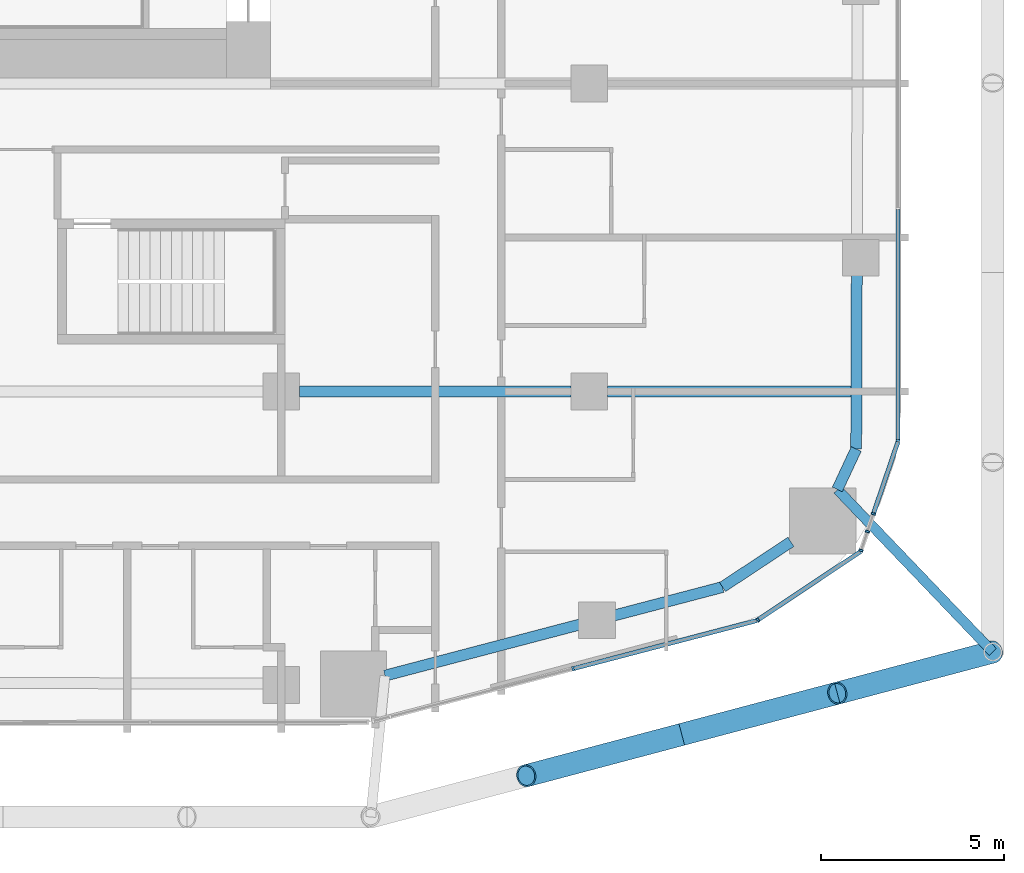
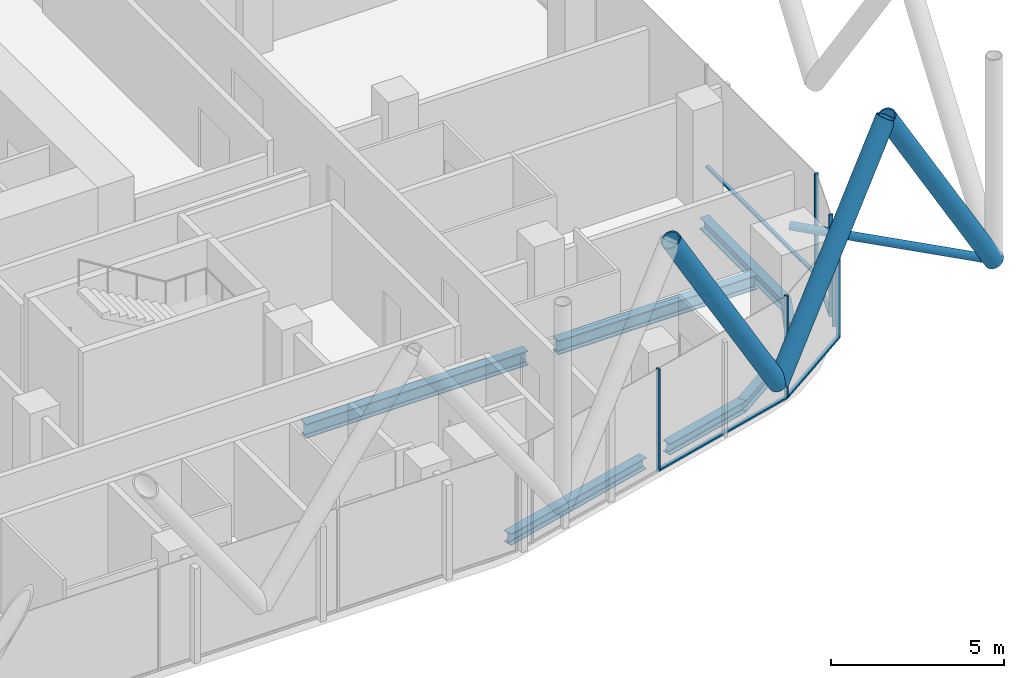
# One storey, part 6 of 34: 14 members, 7 beams, 6 elements without a shape of their own.
"""IFC4 building model written with IfcOpenShell, lengths in metres."""

from ifc_helpers import new_model, si_unit, direction, frame, origin, origin_2d, place, context, subcontext, project, spatial, rectangle, hollow_circle, i_section, extrude, material, layer, layer_set, material_profile, profile_set, type_object, element, aggregate, save


model = new_model("IFC4")

# Units and contexts
model_context = context("Model", 3, precision=1e-05, world=origin(), true_north=direction((0.0, 1.0)))
body_context = subcontext(model_context, "Body", "Model", "MODEL_VIEW")
ifc_project = project(units=[si_unit("LENGTHUNIT", "METRE"), si_unit("AREAUNIT", "SQUARE_METRE"), si_unit("VOLUMEUNIT", "CUBIC_METRE"), si_unit("PLANEANGLEUNIT", "RADIAN"), si_unit("MASSUNIT", "GRAM", prefix="KILO")], contexts=[model_context])

# Site, building, storey
site_placement = place(None, origin())
site = spatial("IfcSite", under=ifc_project, at=site_placement, CompositionType="ELEMENT")
building_placement = place(site_placement, origin())
building = spatial("IfcBuilding", under=site, at=building_placement, Name="Marenta Gate Hotel Tower", CompositionType="ELEMENT")
storey_placement = place(building_placement, frame((0.0, 0.0, 76.10009765625)))
storey = spatial("IfcBuildingStorey", under=building, at=storey_placement, Name="L17", CompositionType="ELEMENT", Elevation=76.10009765625)

# Members
ifc_material_1 = material(Name="Steel S355J2W", Category="steel")
ifc_material_profile_1 = material_profile(ifc_material_1, hollow_circle(Radius=0.304931640625, WallThickness=0.0400390625, at=origin_2d()), Name="CHS 610x40")
ifc_profile_set_1 = profile_set([ifc_material_profile_1], Name="Steel S355J2W")
member_type_1 = type_object("IfcMemberType", Name="Diagrid diagonal Z1 CHS 610x40", PredefinedType="BRACE", material=ifc_profile_set_1)
for number, where, z_axis, x_axis, name in (
    (1, (32.0, -15.500244140625, 3.139892578125), (-0.502925961678, -0.133405107407, 0.853972221087), (0.256391194513, -0.966573098827, 0.0), "L17-DG-11"),
    (2, (23.51953125, -17.75, 3.139892578125), (0.502924018666, 0.133433548941, 0.853968921838), (-0.256443187528, 0.96655930577, 0.0), "L17-DG-12"),
    (3, (23.51953125, -17.75, 3.139892578125), (-0.502924018666, -0.133433548941, 0.853968921838), (0.256443187528, -0.96655930577, 0.0), "L17-DG-13"),
):
    element("IfcMember", number, at=place(storey_placement, frame(where, z_axis=z_axis, x_axis=x_axis)), inside=storey, type_object=member_type_1, Name=name, PredefinedType="BRACE", context=body_context, shape_type="SweptSolid", body=[
        extrude(hollow_circle(Radius=0.304931640625, WallThickness=0.0400390625, at=origin_2d()), origin(), (0.0, 0.0, 1.0), 8.43115234375),
    ])

# Beams
ifc_material_2 = material(Name="Steel S355", Category="steel")
ifc_material_profile_2 = material_profile(ifc_material_2, i_section(OverallWidth=0.300048828125, OverallDepth=0.39990234375, WebThickness=0.013427734375, FlangeThickness=0.02392578125, FilletRadius=0.027099609375, at=origin_2d()), Name="HEB 400")
ifc_profile_set_2 = profile_set([ifc_material_profile_2], Name="Steel S355")
beam_type_1 = type_object("IfcBeamType", Name="Edge beam HEB 400", PredefinedType="SPANDREL", material=ifc_profile_set_2)
beam_1_placement = place(storey_placement, frame((28.291015625, -5.2119140625, -0.460205078125), z_axis=(-0.003337079684, -0.999994431934, 0.0), x_axis=(0.999994431934, -0.003337079684, 0.0)))
element("IfcBeam", 4, at=beam_1_placement, inside=storey, type_object=beam_type_1, Name="L17-EB-27", PredefinedType="SPANDREL", context=body_context, shape_type="SweptSolid", body=[
    extrude(i_section(OverallWidth=0.300048828125, OverallDepth=0.39990234375, WebThickness=0.013427734375, FlangeThickness=0.02392578125, FilletRadius=0.027099609375, at=origin_2d()), origin(), (0.0, 0.0, 1.0), 4.75537109375),
])
beam_2_placement = place(storey_placement, frame((28.275146484375, -9.96728515625, -0.460205078125), z_axis=(-0.423291965192, -0.905993329006, 0.0), x_axis=(0.905993329006, -0.423291965192, 0.0)))
element("IfcBeam", 5, at=beam_2_placement, inside=storey, type_object=beam_type_1, Name="L17-EB-28", PredefinedType="SPANDREL", context=body_context, shape_type="SweptSolid", body=[
    extrude(i_section(OverallWidth=0.300048828125, OverallDepth=0.39990234375, WebThickness=0.013427734375, FlangeThickness=0.02392578125, FilletRadius=0.027099609375, at=origin_2d()), origin(), (0.0, 0.0, 1.0), 1.21630859375),
])
beam_3_placement = place(storey_placement, frame((26.496337890625, -12.498291015625, -0.460205078125), z_axis=(-0.834510054819, -0.550992711754, 0.0), x_axis=(0.550992711754, -0.834510054819, 0.0)))
element("IfcBeam", 6, at=beam_3_placement, inside=storey, type_object=beam_type_1, Name="L17-EB-29", PredefinedType="SPANDREL", context=body_context, shape_type="SweptSolid", body=[
    extrude(i_section(OverallWidth=0.300048828125, OverallDepth=0.39990234375, WebThickness=0.013427734375, FlangeThickness=0.02392578125, FilletRadius=0.027099609375, at=origin_2d()), origin(), (0.0, 0.0, 1.0), 2.237060546875),
])
beam_4_placement = place(storey_placement, frame((24.62939453125, -13.73095703125, -0.460205078125), z_axis=(-0.967228272573, -0.253908386501, 0.0), x_axis=(0.253908386501, -0.967228272573, 0.0)))
element("IfcBeam", 7, at=beam_4_placement, inside=storey, type_object=beam_type_1, Name="L17-EB-30", PredefinedType="SPANDREL", context=body_context, shape_type="SweptSolid", body=[
    extrude(i_section(OverallWidth=0.300048828125, OverallDepth=0.39990234375, WebThickness=0.013427734375, FlangeThickness=0.02392578125, FilletRadius=0.027099609375, at=origin_2d()), origin(), (0.0, 0.0, 1.0), 3.0615234375),
])
beam_5_placement = place(storey_placement, frame((20.74560546875, -14.75048828125, -0.460205078125), z_axis=(-0.967231374294, -0.253896570638, 0.0), x_axis=(0.253896570638, -0.967231374294, 0.0)))
element("IfcBeam", 8, at=beam_5_placement, inside=storey, type_object=beam_type_1, Name="L17-EB-31", PredefinedType="SPANDREL", context=body_context, shape_type="SweptSolid", body=[
    extrude(i_section(OverallWidth=0.300048828125, OverallDepth=0.39990234375, WebThickness=0.013427734375, FlangeThickness=0.02392578125, FilletRadius=0.027099609375, at=origin_2d()), origin(), (0.0, 0.0, 1.0), 5.498291015625),
])

# Member
ifc_material_3 = material(Name="Steel S355J2W", Category="steel")
ifc_material_profile_3 = material_profile(ifc_material_3, hollow_circle(Radius=0.136474609375, WallThickness=0.012451171875, at=origin_2d()), Name="CHS 273x12.5")
ifc_profile_set_3 = profile_set([ifc_material_profile_3], Name="Steel S355J2W")
member_type_2 = type_object("IfcMemberType", Name="Floor tie CHS 273x12.5", PredefinedType="STRUT", material=ifc_profile_set_3)
member_1_placement = place(storey_placement, frame((32.0, -15.500244140625, 3.139892578125), z_axis=(-0.691351135911, 0.722518931845, 0.0), x_axis=(-0.722518931845, -0.691351135911, 0.0)))
element("IfcMember", 9, at=member_1_placement, inside=storey, type_object=member_type_2, Name="L17-DR-8", PredefinedType="STRUT", context=body_context, shape_type="SweptSolid", body=[
    extrude(hollow_circle(Radius=0.136474609375, WallThickness=0.012451171875, at=origin_2d()), origin(), (0.0, 0.0, 1.0), 6.12548828125),
])

# Beams
ifc_material_4 = material(Name="Steel S355", Category="steel")
ifc_material_profile_4 = material_profile(ifc_material_4, i_section(OverallWidth=0.300048828125, OverallDepth=0.5, WebThickness=0.014404296875, FlangeThickness=0.028076171875, FilletRadius=0.027099609375, at=origin_2d()), Name="HEB 500")
ifc_profile_set_4 = profile_set([ifc_material_profile_4], Name="Steel S355")
beam_type_2 = type_object("IfcBeamType", Name="Girder HEB 500", PredefinedType="BEAM", material=ifc_profile_set_4)
beam_6_placement = place(storey_placement, frame((13.10009765625, -8.39990234375, -0.510009765625), z_axis=(1.0, 0.0, 0.0), x_axis=(0.0, 1.0, 0.0)))
element("IfcBeam", 10, at=beam_6_placement, inside=storey, type_object=beam_type_2, Name="L17-GD-6", PredefinedType="BEAM", context=body_context, shape_type="SweptSolid", body=[
    extrude(i_section(OverallWidth=0.300048828125, OverallDepth=0.5, WebThickness=0.014404296875, FlangeThickness=0.028076171875, FilletRadius=0.027099609375, at=origin_2d()), origin(), (0.0, 0.0, 1.0), 7.39990234375),
])
beam_7_placement = place(storey_placement, frame((21.5, -8.39990234375, -0.510009765625), z_axis=(1.0, 0.0, 0.0), x_axis=(0.0, 1.0, 0.0)))
element("IfcBeam", 11, at=beam_7_placement, inside=storey, type_object=beam_type_2, Name="L17-GD-7", PredefinedType="BEAM", context=body_context, shape_type="SweptSolid", body=[
    extrude(i_section(OverallWidth=0.300048828125, OverallDepth=0.5, WebThickness=0.014404296875, FlangeThickness=0.028076171875, FilletRadius=0.027099609375, at=origin_2d()), origin(), (0.0, 0.0, 1.0), 6.63037109375),
])

# Curtain wall, member
ifc_material_5 = material(Name="Tinted insulated glass in bronze anodised frame", Category="glass")
ifc_layer = layer(ifc_material_5, 0.1201171875)
ifc_layer_set = layer_set([ifc_layer], Name="Tinted insulated glass in bronze anodised frame")
curtain_wall_type = type_object("IfcCurtainWallType", Name="Tower unitised curtain wall CW1", PredefinedType="NOTDEFINED", material=ifc_layer_set)
curtain_wall_1_placement = place(storey_placement, origin())
curtain_wall_1 = element("IfcCurtainWall", 12, at=curtain_wall_1_placement, inside=storey, type_object=curtain_wall_type, Name="CW1 run G13", PredefinedType="NOTDEFINED")
ifc_material_6 = material(Name="Bronze anodised aluminium", Category="aluminium")
ifc_material_profile_5 = material_profile(ifc_material_6, rectangle(XDim=0.1201171875, YDim=0.06005859375, at=origin_2d()), Name="Mullion CW1 60x120 bronze anodised aluminium")
ifc_profile_set_5 = profile_set([ifc_material_profile_5], Name="Bronze anodised aluminium")
member_type_3 = type_object("IfcMemberType", Name="Mullion CW1 60x120 bronze anodised aluminium", PredefinedType="MULLION", material=ifc_profile_set_5)
member_2_placement = place(storey_placement, frame((20.5546875, -15.95654296875, 0.0), z_axis=(0.0, 0.0, 1.0), x_axis=(-0.253363691666, 0.967371097224, 0.0)))
member_2 = element("IfcMember", 13, at=member_2_placement, type_object=member_type_3, Name="CW1 mullion 2", PredefinedType="MULLION", context=body_context, shape_type="SweptSolid", body=[
    extrude(rectangle(XDim=0.1201171875, YDim=0.06005859375, at=origin_2d()), origin(), (0.0, 0.0, 1.0), 3.599853515625),
])

curtain_wall_2_placement = place(storey_placement, origin())
curtain_wall_2 = element("IfcCurtainWall", 14, at=curtain_wall_2_placement, inside=storey, type_object=curtain_wall_type, Name="CW1 run G14", PredefinedType="NOTDEFINED")
member_3_placement = place(storey_placement, frame((25.592529296875, -14.626953125, 0.0), z_axis=(0.0, 0.0, 1.0), x_axis=(-0.554034324326, 0.832493824282, 0.0)))
member_3 = element("IfcMember", 15, at=member_3_placement, type_object=member_type_3, Name="CW1 mullion 1", PredefinedType="MULLION", context=body_context, shape_type="SweptSolid", body=[
    extrude(rectangle(XDim=0.1201171875, YDim=0.06005859375, at=origin_2d()), origin(), (0.0, 0.0, 1.0), 3.599853515625),
])

curtain_wall_3_placement = place(storey_placement, origin())
curtain_wall_3 = element("IfcCurtainWall", 16, at=curtain_wall_3_placement, inside=storey, type_object=curtain_wall_type, Name="CW1 run G15", PredefinedType="NOTDEFINED")
member_4_placement = place(storey_placement, frame((28.405517578125, -12.73291015625, 0.0), z_axis=(0.0, 0.0, 1.0), x_axis=(-0.946722456746, 0.322050601446, 0.0)))
member_4 = element("IfcMember", 17, at=member_4_placement, type_object=member_type_3, Name="CW1 mullion 1", PredefinedType="MULLION", context=body_context, shape_type="SweptSolid", body=[
    extrude(rectangle(XDim=0.1201171875, YDim=0.06005859375, at=origin_2d()), origin(), (0.0, 0.0, 1.0), 3.599853515625),
])
aggregate(curtain_wall_3, [member_4])

curtain_wall_4_placement = place(storey_placement, origin())
curtain_wall_4 = element("IfcCurtainWall", 18, at=curtain_wall_4_placement, inside=storey, type_object=curtain_wall_type, Name="CW1 run G16", PredefinedType="NOTDEFINED")
member_5_placement = place(storey_placement, frame((28.5810546875, -12.216552734375, 0.0), z_axis=(0.0, 0.0, 1.0), x_axis=(-0.946746478316, 0.321979977321, 0.0)))
member_5 = element("IfcMember", 19, at=member_5_placement, type_object=member_type_3, Name="CW1 mullion 1", PredefinedType="MULLION", context=body_context, shape_type="SweptSolid", body=[
    extrude(rectangle(XDim=0.1201171875, YDim=0.06005859375, at=origin_2d()), origin(), (0.0, 0.0, 1.0), 3.00048828125),
])
aggregate(curtain_wall_4, [member_5])

curtain_wall_5_placement = place(storey_placement, origin())
curtain_wall_5 = element("IfcCurtainWall", 20, at=curtain_wall_5_placement, inside=storey, type_object=curtain_wall_type, Name="CW1 run G17", PredefinedType="NOTDEFINED")
member_6_placement = place(storey_placement, frame((28.74560546875, -11.733154296875, 0.0), z_axis=(0.0, 0.0, 1.0), x_axis=(-0.946727867175, 0.322034696135, 0.0)))
member_6 = element("IfcMember", 21, at=member_6_placement, type_object=member_type_3, Name="CW1 mullion 1", PredefinedType="MULLION", context=body_context, shape_type="SweptSolid", body=[
    extrude(rectangle(XDim=0.1201171875, YDim=0.06005859375, at=origin_2d()), origin(), (0.0, 0.0, 1.0), 3.599853515625),
])

curtain_wall_6_placement = place(storey_placement, origin())
curtain_wall_6 = element("IfcCurtainWall", 22, at=curtain_wall_6_placement, inside=storey, type_object=curtain_wall_type, Name="CW1 run G18", PredefinedType="NOTDEFINED")
member_7_placement = place(storey_placement, frame((29.4140625, -9.738037109375, 0.0), z_axis=(0.0, 0.0, 1.0), x_axis=(-1.0, 0.0, 0.0)))
member_7 = element("IfcMember", 23, at=member_7_placement, type_object=member_type_3, Name="CW1 mullion 1", PredefinedType="MULLION", context=body_context, shape_type="SweptSolid", body=[
    extrude(rectangle(XDim=0.1201171875, YDim=0.06005859375, at=origin_2d()), origin(), (0.0, 0.0, 1.0), 3.599853515625),
])

# Member
ifc_material_7 = material(Name="Bronze anodised aluminium", Category="aluminium")
ifc_material_profile_6 = material_profile(ifc_material_7, rectangle(XDim=0.1201171875, YDim=0.06005859375, at=origin_2d()), Name="Transom CW1 60x120 bronze anodised aluminium")
ifc_profile_set_6 = profile_set([ifc_material_profile_6], Name="Bronze anodised aluminium")
member_type_4 = type_object("IfcMemberType", Name="Transom CW1 60x120 bronze anodised aluminium", PredefinedType="USERDEFINED", material=ifc_profile_set_6)
member_8_placement = place(storey_placement, frame((20.583740234375, -15.948974609375, 0.02978515625), z_axis=(0.967366692523, 0.253380508716, 0.0), x_axis=(-0.253380508716, 0.967366692523, 0.0)))
member_8 = element("IfcMember", 24, at=member_8_placement, type_object=member_type_4, Name="CW1 transom 2.1", ObjectType="TRANSOM", PredefinedType="USERDEFINED", context=body_context, shape_type="SweptSolid", body=[
    extrude(rectangle(XDim=0.1201171875, YDim=0.06005859375, at=origin_2d()), origin(), (0.0, 0.0, 1.0), 5.152099609375),
])

aggregate(curtain_wall_1, [member_2, member_8])

member_9_placement = place(storey_placement, frame((25.617431640625, -14.6103515625, 0.02978515625), z_axis=(0.832511449854, 0.554007839169, 0.0), x_axis=(-0.554007839169, 0.832511449854, 0.0)))
member_9 = element("IfcMember", 25, at=member_9_placement, type_object=member_type_4, Name="CW1 transom 1.1", ObjectType="TRANSOM", PredefinedType="USERDEFINED", context=body_context, shape_type="SweptSolid", body=[
    extrude(rectangle(XDim=0.1201171875, YDim=0.06005859375, at=origin_2d()), origin(), (0.0, 0.0, 1.0), 3.337158203125),
])

aggregate(curtain_wall_2, [member_3, member_9])

member_10_placement = place(storey_placement, frame((28.755126953125, -11.70458984375, 0.02978515625), z_axis=(0.322129530248, 0.94669560353, 0.0), x_axis=(-0.94669560353, 0.322129530248, 0.0)))
member_10 = element("IfcMember", 26, at=member_10_placement, type_object=member_type_4, Name="CW1 transom 1.1", ObjectType="TRANSOM", PredefinedType="USERDEFINED", context=body_context, shape_type="SweptSolid", body=[
    extrude(rectangle(XDim=0.1201171875, YDim=0.06005859375, at=origin_2d()), origin(), (0.0, 0.0, 1.0), 2.045654296875),
])

aggregate(curtain_wall_5, [member_6, member_10])

member_11_placement = place(storey_placement, frame((29.4140625, -9.7080078125, 0.02978515625), z_axis=(0.0, 1.0, 0.0), x_axis=(-1.0, 0.0, 0.0)))
member_11 = element("IfcMember", 27, at=member_11_placement, type_object=member_type_4, Name="CW1 transom 1.1", ObjectType="TRANSOM", PredefinedType="USERDEFINED", context=body_context, shape_type="SweptSolid", body=[
    extrude(rectangle(XDim=0.1201171875, YDim=0.06005859375, at=origin_2d()), origin(), (0.0, 0.0, 1.0), 6.27001953125),
])

aggregate(curtain_wall_6, [member_7, member_11])

save(model, "model.ifc")
